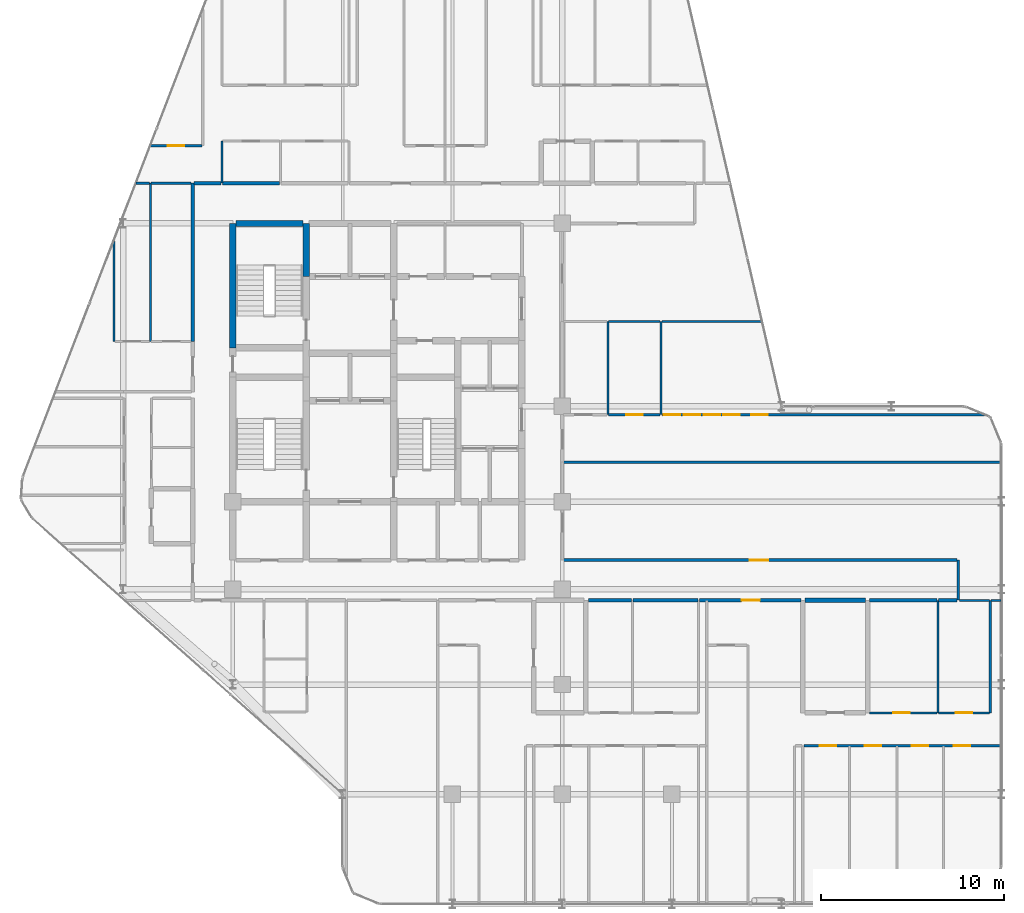
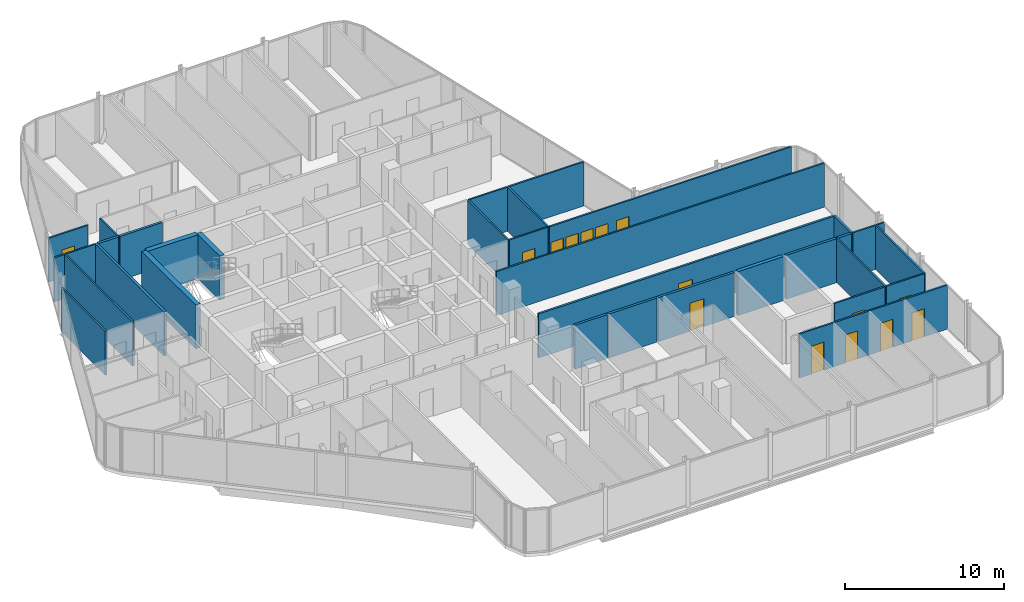
# One storey, part 26 of 29: 34 walls, 15 doors, 15 openings.
"""IFC4 building model written with IfcOpenShell, lengths in metres."""

from ifc_helpers import new_model, si_unit, direction, frame, frame_2d, origin, place, context, subcontext, project, spatial, rectangle, extrude, material, layer, layer_set, type_object, element, fill, save


model = new_model("IFC4")

# Units and contexts
model_context = context("Model", 3, precision=1e-05, world=origin(), true_north=direction((0.0, 1.0)))
body_context = subcontext(model_context, "Body", "Model", "MODEL_VIEW")
ifc_project = project(units=[si_unit("LENGTHUNIT", "METRE"), si_unit("AREAUNIT", "SQUARE_METRE"), si_unit("VOLUMEUNIT", "CUBIC_METRE"), si_unit("PLANEANGLEUNIT", "RADIAN"), si_unit("MASSUNIT", "GRAM", prefix="KILO")], contexts=[model_context])

# Site, building, storey
site_placement = place(None, origin())
site = spatial("IfcSite", under=ifc_project, at=site_placement, CompositionType="ELEMENT")
building_placement = place(site_placement, origin())
building = spatial("IfcBuilding", under=site, at=building_placement, Name="Keshet Zoharim Tower", CompositionType="ELEMENT")
storey_placement = place(building_placement, frame((0.0, 0.0, 192.10009765625)))
storey = spatial("IfcBuildingStorey", under=building, at=storey_placement, Name="L47", CompositionType="ELEMENT", Elevation=192.10009765625)

# Wall
ifc_material_1 = material(Name="Gypsum Plasterboard", Category="gypsum")
ifc_layer_1 = layer(ifc_material_1, 0.14990234375)
ifc_layer_set_1 = layer_set([ifc_layer_1], Name="Gypsum Plasterboard")
wall_type_1 = type_object("IfcWallType", Name="WL-CLIN-150", PredefinedType="STANDARD", material=ifc_layer_set_1)
wall_1_placement = place(storey_placement, frame((54.64990234375, 17.31005859375, 0.0), z_axis=(0.0, 0.0, 1.0), x_axis=(0.0, 1.0, 0.0)))
element("IfcWall", 1, at=wall_1_placement, inside=storey, type_object=wall_type_1, Name="L47 Interior Wall 102", PredefinedType="STANDARD", context=body_context, shape_type="SweptSolid", body=[
    extrude(rectangle(XDim=2.18994140625, YDim=0.14990234375, at=frame_2d((1.094970703125, 0.0))), origin(), (0.0, 0.0, 1.0), 3.389892578125),
])

# Wall, opening, door
wall_2_placement = place(storey_placement, frame((33.070068359375, 19.5, 0.0), z_axis=(0.0, 0.0, 1.0), x_axis=(1.0, 0.0, 0.0)))
wall_2 = element("IfcWall", 2, at=wall_2_placement, inside=storey, type_object=wall_type_1, Name="L47 Interior Wall 138", PredefinedType="STANDARD", context=body_context, shape_type="SweptSolid", body=[
    extrude(rectangle(XDim=21.510009765625, YDim=0.14990234375, at=frame_2d((10.7548828125, 0.0))), origin(), (0.0, 0.0, 1.0), 3.389892578125),
])
opening_1_placement = place(wall_2_placement, frame((10.18505859375, 0.0, 0.0)))
opening_1 = element("IfcOpeningElement", 3, at=opening_1_placement, cuts=wall_2, Name="Opening D-F310", PredefinedType="OPENING", context=body_context, shape_type="SweptSolid", body=[
    extrude(rectangle(XDim=1.0, YDim=2.14990234375, at=frame_2d((0.5, 1.074951171875))), frame((0.0, 0.0849609375, 0.0), z_axis=(0.0, -1.0, 0.0), x_axis=(1.0, 0.0, 0.0)), (0.0, 0.0, 1.0), 0.169921875),
])
ifc_material_2 = material(Name="Hardwood Timber", Category="wood")
door_type_1 = type_object("IfcDoorType", Name="DR-FD30-100", OperationType="NOTDEFINED", PredefinedType="DOOR", material=ifc_material_2)
door_1_placement = place(opening_1_placement, origin())
door_1 = element("IfcDoor", 4, at=door_1_placement, inside=storey, type_object=door_type_1, Name="L47 South East Residents Services Suite Door 1", OperationType="SINGLE_SWING_RIGHT", OverallHeight=2.14990234375, OverallWidth=1.0, PredefinedType="DOOR", context=body_context, shape_type="SweptSolid", body=[
    extrude(rectangle(XDim=1.0, YDim=2.14990234375, at=frame_2d((0.5, 1.074951171875))), frame((0.0, 0.02490234375, 0.0), z_axis=(0.0, -1.0, 0.0), x_axis=(1.0, 0.0, 0.0)), (0.0, 0.0, 1.0), 0.050048828125),
])
fill(opening_1, door_1)

# Walls
ifc_material_3 = material(Name="Concrete C60/75", Category="concrete")
ifc_layer_2 = layer(ifc_material_3, 0.35009765625)
ifc_layer_set_2 = layer_set([ifc_layer_2], Name="Concrete C60/75")
wall_type_2 = type_object("IfcWallType", Name="WL-CORE-350", PredefinedType="SHEAR", material=ifc_layer_set_2)
wall_3_placement = place(storey_placement, frame((15.0, 31.10009765625, 0.0), z_axis=(0.0, 0.0, 1.0), x_axis=(0.0, 1.0, 0.0)))
element("IfcWall", 5, at=wall_3_placement, inside=storey, type_object=wall_type_2, Name="L47 Core Shear Wall 019", PredefinedType="SHEAR", context=body_context, shape_type="SweptSolid", body=[
    extrude(rectangle(XDim=6.7998046875, YDim=0.35009765625, at=frame_2d((3.39990234375, 0.0))), origin(), (0.0, 0.0, 1.0), 3.389892578125),
])
wall_4_placement = place(storey_placement, frame((19.0, 35.0, 0.0), z_axis=(0.0, 0.0, 1.0), x_axis=(0.0, 1.0, 0.0)))
element("IfcWall", 6, at=wall_4_placement, inside=storey, type_object=wall_type_2, Name="L47 Core Shear Wall 028", PredefinedType="SHEAR", context=body_context, shape_type="SweptSolid", body=[
    extrude(rectangle(XDim=2.89990234375, YDim=0.35009765625, at=frame_2d((1.449951171875, 0.0))), origin(), (0.0, 0.0, 1.0), 3.389892578125),
])
wall_5_placement = place(storey_placement, frame((15.159912109375, 37.89990234375, 0.0), z_axis=(0.0, 0.0, 1.0), x_axis=(1.0, 0.0, 0.0)))
element("IfcWall", 7, at=wall_5_placement, inside=storey, type_object=wall_type_2, Name="L47 Core Shear Wall 176", PredefinedType="SHEAR", context=body_context, shape_type="SweptSolid", body=[
    extrude(rectangle(XDim=3.68017578125, YDim=0.35009765625, at=frame_2d((1.840087890625, 0.0))), origin(), (0.0, 0.0, 1.0), 3.389892578125),
])
ifc_layer_3 = layer(ifc_material_1, 0.179931640625)
ifc_layer_set_3 = layer_set([ifc_layer_3], Name="Gypsum Plasterboard")
wall_type_3 = type_object("IfcWallType", Name="WL-CORR-180", PredefinedType="STANDARD", material=ifc_layer_set_3)
wall_6_placement = place(storey_placement, frame((12.800048828125, 31.449951171875, 0.0), z_axis=(0.0, 0.0, 1.0), x_axis=(0.0, 1.0, 0.0)))
element("IfcWall", 8, at=wall_6_placement, inside=storey, type_object=wall_type_3, Name="L47 Interior Wall 012", PredefinedType="STANDARD", context=body_context, shape_type="SweptSolid", body=[
    extrude(rectangle(XDim=8.650146484375, YDim=0.179931640625, at=frame_2d((4.3251953125, 0.0))), origin(), (0.0, 0.0, 1.0), 3.389892578125),
])
wall_7_placement = place(storey_placement, frame((34.425048828125, 17.300048828125, 0.0), z_axis=(0.0, 0.0, 1.0), x_axis=(1.0, 0.0, 0.0)))
element("IfcWall", 9, at=wall_7_placement, inside=storey, type_object=wall_type_3, Name="L47 Interior Wall 126", PredefinedType="STANDARD", context=body_context, shape_type="SweptSolid", body=[
    extrude(rectangle(XDim=2.367919921875, YDim=0.179931640625, at=frame_2d((1.18408203125, 0.0))), origin(), (0.0, 0.0, 1.0), 3.389892578125),
])
wall_8_placement = place(storey_placement, frame((36.883056640625, 17.300048828125, 0.0), z_axis=(0.0, 0.0, 1.0), x_axis=(1.0, 0.0, 0.0)))
element("IfcWall", 10, at=wall_8_placement, inside=storey, type_object=wall_type_3, Name="L47 Interior Wall 127", PredefinedType="STANDARD", context=body_context, shape_type="SweptSolid", body=[
    extrude(rectangle(XDim=3.531982421875, YDim=0.179931640625, at=frame_2d((1.76611328125, 0.0))), origin(), (0.0, 0.0, 1.0), 3.389892578125),
])

# Wall, opening, door
wall_9_placement = place(storey_placement, frame((40.5048828125, 17.300048828125, 0.0), z_axis=(0.0, 0.0, 1.0), x_axis=(1.0, 0.0, 0.0)))
wall_9 = element("IfcWall", 11, at=wall_9_placement, inside=storey, type_object=wall_type_3, Name="L47 Interior Wall 128", PredefinedType="STANDARD", context=body_context, shape_type="SweptSolid", body=[
    extrude(rectangle(XDim=5.545166015625, YDim=0.179931640625, at=frame_2d((2.7724609375, 0.0))), origin(), (0.0, 0.0, 1.0), 3.389892578125),
])
opening_2_placement = place(wall_9_placement, frame((2.304931640625, 0.0, 0.0)))
opening_2 = element("IfcOpeningElement", 12, at=opening_2_placement, cuts=wall_9, Name="Opening D-F310", PredefinedType="OPENING", context=body_context, shape_type="SweptSolid", body=[
    extrude(rectangle(XDim=1.0, YDim=2.14990234375, at=frame_2d((0.5, 1.074951171875))), frame((0.0, 0.10009765625, 0.0), z_axis=(0.0, -1.0, 0.0), x_axis=(1.0, 0.0, 0.0)), (0.0, 0.0, 1.0), 0.199951171875),
])
door_2_placement = place(opening_2_placement, origin())
door_2 = element("IfcDoor", 13, at=door_2_placement, inside=storey, type_object=door_type_1, Name="Apartment 4703 Entrance Door", OperationType="SINGLE_SWING_RIGHT", OverallHeight=2.14990234375, OverallWidth=1.0, PredefinedType="DOOR", context=body_context, shape_type="SweptSolid", body=[
    extrude(rectangle(XDim=1.0, YDim=2.14990234375, at=frame_2d((0.5, 1.074951171875))), frame((0.0, 0.02490234375, 0.0), z_axis=(0.0, -1.0, 0.0), x_axis=(1.0, 0.0, 0.0)), (0.0, 0.0, 1.0), 0.050048828125),
])
fill(opening_2, door_2)

# Walls
wall_10_placement = place(storey_placement, frame((49.81005859375, 17.300048828125, 0.0), z_axis=(0.0, 0.0, 1.0), x_axis=(1.0, 0.0, 0.0)))
element("IfcWall", 14, at=wall_10_placement, inside=storey, type_object=wall_type_3, Name="L47 Interior Wall 130", PredefinedType="STANDARD", context=body_context, shape_type="SweptSolid", body=[
    extrude(rectangle(XDim=3.6708984375, YDim=0.179931640625, at=frame_2d((1.83544921875, 0.0))), origin(), (0.0, 0.0, 1.0), 3.389892578125),
])
wall_11_placement = place(storey_placement, frame((53.571044921875, 17.300048828125, 0.0), z_axis=(0.0, 0.0, 1.0), x_axis=(1.0, 0.0, 0.0)))
element("IfcWall", 15, at=wall_11_placement, inside=storey, type_object=wall_type_3, Name="L47 Interior Wall 131", PredefinedType="STANDARD", context=body_context, shape_type="SweptSolid", body=[
    extrude(rectangle(XDim=1.009033203125, YDim=0.179931640625, at=frame_2d((0.50439453125, 0.0))), origin(), (0.0, 0.0, 1.0), 3.389892578125),
])
wall_12_placement = place(storey_placement, frame((12.875, 40.10009765625, 0.0), z_axis=(0.0, 0.0, 1.0), x_axis=(1.0, 0.0, 0.0)))
element("IfcWall", 16, at=wall_12_placement, inside=storey, type_object=wall_type_3, Name="L47 Interior Wall 183", PredefinedType="STANDARD", context=body_context, shape_type="SweptSolid", body=[
    extrude(rectangle(XDim=1.47998046875, YDim=0.179931640625, at=frame_2d((0.739990234375, 0.0))), origin(), (0.0, 0.0, 1.0), 3.389892578125),
])
wall_13_placement = place(storey_placement, frame((14.445068359375, 40.10009765625, 0.0), z_axis=(0.0, 0.0, 1.0), x_axis=(1.0, 0.0, 0.0)))
element("IfcWall", 17, at=wall_13_placement, inside=storey, type_object=wall_type_3, Name="L47 Interior Wall 184", PredefinedType="STANDARD", context=body_context, shape_type="SweptSolid", body=[
    extrude(rectangle(XDim=3.10205078125, YDim=0.179931640625, at=frame_2d((1.551025390625, 0.0))), origin(), (0.0, 0.0, 1.0), 3.389892578125),
])
ifc_material_4 = material(Name="Concrete C50/60", Category="concrete")
ifc_layer_4 = layer(ifc_material_4, 0.25)
ifc_layer_set_4 = layer_set([ifc_layer_4], Name="Concrete C50/60")
wall_type_4 = type_object("IfcWallType", Name="WL-MAMAD-250", PredefinedType="STANDARD", material=ifc_layer_set_4)
wall_14_placement = place(storey_placement, frame((46.27001953125, 17.300048828125, 0.0), z_axis=(0.0, 0.0, 1.0), x_axis=(1.0, 0.0, 0.0)))
element("IfcWall", 18, at=wall_14_placement, inside=storey, type_object=wall_type_4, Name="L47 Interior Wall 129", PredefinedType="STANDARD", context=body_context, shape_type="SweptSolid", body=[
    extrude(rectangle(XDim=3.320068359375, YDim=0.25, at=frame_2d((1.66015625, 0.0))), origin(), (0.0, 0.0, 1.0), 3.389892578125),
])
ifc_layer_5 = layer(ifc_material_1, 0.1201171875)
ifc_layer_set_5 = layer_set([ifc_layer_5], Name="Gypsum Plasterboard")
wall_type_5 = type_object("IfcWallType", Name="WL-PART-120", PredefinedType="PARTITIONING", material=ifc_layer_set_5)
wall_15_placement = place(storey_placement, frame((8.5, 31.449951171875, 0.0), z_axis=(0.0, 0.0, 1.0), x_axis=(0.0, 1.0, 0.0)))
element("IfcWall", 19, at=wall_15_placement, inside=storey, type_object=wall_type_5, Name="L47 Interior Wall 001", PredefinedType="PARTITIONING", context=body_context, shape_type="SweptSolid", body=[
    extrude(rectangle(XDim=5.5400390625, YDim=0.1201171875, at=frame_2d((2.77001953125, 0.0))), origin(), (0.0, 0.0, 1.0), 3.389892578125),
])
wall_16_placement = place(storey_placement, frame((14.39990234375, 40.10009765625, 0.0), z_axis=(0.0, 0.0, 1.0), x_axis=(0.0, 1.0, 0.0)))
element("IfcWall", 20, at=wall_16_placement, inside=storey, type_object=wall_type_5, Name="L47 Interior Wall 014", PredefinedType="PARTITIONING", context=body_context, shape_type="SweptSolid", body=[
    extrude(rectangle(XDim=2.2998046875, YDim=0.1201171875, at=frame_2d((1.14990234375, 0.0))), origin(), (0.0, 0.0, 1.0), 3.389892578125),
])

# Wall, openings, doors
wall_17_placement = place(storey_placement, frame((46.205078125, 9.35009765625, 0.0), z_axis=(0.0, 0.0, 1.0), x_axis=(1.0, 0.0, 0.0)))
wall_17 = element("IfcWall", 21, at=wall_17_placement, inside=storey, type_object=wall_type_5, Name="L47 Interior Wall 108", PredefinedType="PARTITIONING", context=body_context, shape_type="SweptSolid", body=[
    extrude(rectangle(XDim=10.784912109375, YDim=0.1201171875, at=frame_2d((5.392578125, 0.0))), origin(), (0.0, 0.0, 1.0), 3.389892578125),
])
opening_3_placement = place(wall_17_placement, frame((0.882080078125, 0.0, 0.0)))
opening_3 = element("IfcOpeningElement", 22, at=opening_3_placement, cuts=wall_17, Name="Opening D-IN90", PredefinedType="OPENING", context=body_context, shape_type="SweptSolid", body=[
    extrude(rectangle(XDim=0.89990234375, YDim=2.14990234375, at=frame_2d((0.449951171875, 1.074951171875))), frame((0.0, 0.070068359375, 0.0), z_axis=(0.0, -1.0, 0.0), x_axis=(1.0, 0.0, 0.0)), (0.0, 0.0, 1.0), 0.14013671875),
])
opening_4_placement = place(wall_17_placement, frame((3.342041015625, 0.0, 0.0)))
opening_4 = element("IfcOpeningElement", 23, at=opening_4_placement, cuts=wall_17, Name="Opening D-IN90", PredefinedType="OPENING", context=body_context, shape_type="SweptSolid", body=[
    extrude(rectangle(XDim=0.89990234375, YDim=2.14990234375, at=frame_2d((0.449951171875, 1.074951171875))), frame((0.0, 0.070068359375, 0.0), z_axis=(0.0, -1.0, 0.0), x_axis=(1.0, 0.0, 0.0)), (0.0, 0.0, 1.0), 0.14013671875),
])
opening_5_placement = place(wall_17_placement, frame((5.89794921875, 0.0, 0.0)))
opening_5 = element("IfcOpeningElement", 24, at=opening_5_placement, cuts=wall_17, Name="Opening D-IN90", PredefinedType="OPENING", context=body_context, shape_type="SweptSolid", body=[
    extrude(rectangle(XDim=0.89990234375, YDim=2.14990234375, at=frame_2d((0.449951171875, 1.074951171875))), frame((0.0, 0.070068359375, 0.0), z_axis=(0.0, -1.0, 0.0), x_axis=(1.0, 0.0, 0.0)), (0.0, 0.0, 1.0), 0.14013671875),
])
opening_6_placement = place(wall_17_placement, frame((8.2041015625, 0.0, 0.0)))
opening_6 = element("IfcOpeningElement", 25, at=opening_6_placement, cuts=wall_17, Name="Opening D-IN90", PredefinedType="OPENING", context=body_context, shape_type="SweptSolid", body=[
    extrude(rectangle(XDim=0.89990234375, YDim=2.14990234375, at=frame_2d((0.449951171875, 1.074951171875))), frame((0.0, 0.070068359375, 0.0), z_axis=(0.0, -1.0, 0.0), x_axis=(1.0, 0.0, 0.0)), (0.0, 0.0, 1.0), 0.14013671875),
])
door_type_2 = type_object("IfcDoorType", Name="DR-INT-090", OperationType="NOTDEFINED", PredefinedType="DOOR", material=ifc_material_2)
door_3_placement = place(opening_3_placement, origin())
door_3 = element("IfcDoor", 26, at=door_3_placement, inside=storey, type_object=door_type_2, Name="Apartment 4703 Bedroom 1 Door", OperationType="SINGLE_SWING_RIGHT", OverallHeight=2.14990234375, OverallWidth=0.89990234375, PredefinedType="DOOR", context=body_context, shape_type="SweptSolid", body=[
    extrude(rectangle(XDim=0.89990234375, YDim=2.14990234375, at=frame_2d((0.449951171875, 1.074951171875))), frame((0.0, 0.02490234375, 0.0), z_axis=(0.0, -1.0, 0.0), x_axis=(1.0, 0.0, 0.0)), (0.0, 0.0, 1.0), 0.050048828125),
])
fill(opening_3, door_3)
door_4_placement = place(opening_4_placement, origin())
door_4 = element("IfcDoor", 27, at=door_4_placement, inside=storey, type_object=door_type_2, Name="Apartment 4703 Bedroom 2 Door", OperationType="SINGLE_SWING_LEFT", OverallHeight=2.14990234375, OverallWidth=0.89990234375, PredefinedType="DOOR", context=body_context, shape_type="SweptSolid", body=[
    extrude(rectangle(XDim=0.89990234375, YDim=2.14990234375, at=frame_2d((0.449951171875, 1.074951171875))), frame((0.0, 0.02490234375, 0.0), z_axis=(0.0, -1.0, 0.0), x_axis=(1.0, 0.0, 0.0)), (0.0, 0.0, 1.0), 0.050048828125),
])
fill(opening_4, door_4)
door_5_placement = place(opening_5_placement, origin())
door_5 = element("IfcDoor", 28, at=door_5_placement, inside=storey, type_object=door_type_2, Name="Apartment 4703 Bedroom 3 Door", OperationType="SINGLE_SWING_RIGHT", OverallHeight=2.14990234375, OverallWidth=0.89990234375, PredefinedType="DOOR", context=body_context, shape_type="SweptSolid", body=[
    extrude(rectangle(XDim=0.89990234375, YDim=2.14990234375, at=frame_2d((0.449951171875, 1.074951171875))), frame((0.0, 0.02490234375, 0.0), z_axis=(0.0, -1.0, 0.0), x_axis=(1.0, 0.0, 0.0)), (0.0, 0.0, 1.0), 0.050048828125),
])
fill(opening_5, door_5)
door_6_placement = place(opening_6_placement, origin())
door_6 = element("IfcDoor", 29, at=door_6_placement, inside=storey, type_object=door_type_2, Name="Apartment 4703 Bedroom 4 Door", OperationType="SINGLE_SWING_LEFT", OverallHeight=2.14990234375, OverallWidth=0.89990234375, PredefinedType="DOOR", context=body_context, shape_type="SweptSolid", body=[
    extrude(rectangle(XDim=0.89990234375, YDim=2.14990234375, at=frame_2d((0.449951171875, 1.074951171875))), frame((0.0, 0.02490234375, 0.0), z_axis=(0.0, -1.0, 0.0), x_axis=(1.0, 0.0, 0.0)), (0.0, 0.0, 1.0), 0.050048828125),
])
fill(opening_6, door_6)

# Wall, opening, door
wall_18_placement = place(storey_placement, frame((49.81005859375, 11.14990234375, 0.0), z_axis=(0.0, 0.0, 1.0), x_axis=(1.0, 0.0, 0.0)))
wall_18 = element("IfcWall", 30, at=wall_18_placement, inside=storey, type_object=wall_type_5, Name="L47 Interior Wall 113", PredefinedType="PARTITIONING", context=body_context, shape_type="SweptSolid", body=[
    extrude(rectangle(XDim=3.6708984375, YDim=0.1201171875, at=frame_2d((1.83544921875, 0.0))), origin(), (0.0, 0.0, 1.0), 3.389892578125),
])
opening_7_placement = place(wall_18_placement, frame((1.281982421875, 0.0, 0.0)))
opening_7 = element("IfcOpeningElement", 31, at=opening_7_placement, cuts=wall_18, Name="Opening D-IN90", PredefinedType="OPENING", context=body_context, shape_type="SweptSolid", body=[
    extrude(rectangle(XDim=0.89990234375, YDim=2.14990234375, at=frame_2d((0.449951171875, 1.074951171875))), frame((0.0, 0.070068359375, 0.0), z_axis=(0.0, -1.0, 0.0), x_axis=(1.0, 0.0, 0.0)), (0.0, 0.0, 1.0), 0.14013671875),
])
door_7_placement = place(opening_7_placement, origin())
door_7 = element("IfcDoor", 32, at=door_7_placement, inside=storey, type_object=door_type_2, Name="Apartment 4703 Kitchen Door", OperationType="SINGLE_SWING_LEFT", OverallHeight=2.14990234375, OverallWidth=0.89990234375, PredefinedType="DOOR", context=body_context, shape_type="SweptSolid", body=[
    extrude(rectangle(XDim=0.89990234375, YDim=2.14990234375, at=frame_2d((0.449951171875, 1.074951171875))), frame((0.0, 0.02490234375, 0.0), z_axis=(0.0, -1.0, 0.0), x_axis=(1.0, 0.0, 0.0)), (0.0, 0.0, 1.0), 0.050048828125),
])
fill(opening_7, door_7)

# Walls
wall_19_placement = place(storey_placement, frame((56.43505859375, 17.300048828125, 0.0), z_axis=(0.0, 0.0, 1.0), x_axis=(1.0, 0.0, 0.0)))
element("IfcWall", 33, at=wall_19_placement, inside=storey, type_object=wall_type_5, Name="L47 Interior Wall 133", PredefinedType="PARTITIONING", context=body_context, shape_type="SweptSolid", body=[
    extrude(rectangle(XDim=0.554931640625, YDim=0.1201171875, at=frame_2d((0.27734375, 0.0))), origin(), (0.0, 0.0, 1.0), 3.389892578125),
])
wall_20_placement = place(storey_placement, frame((33.0849609375, 24.85009765625, 0.0), z_axis=(0.0, 0.0, 1.0), x_axis=(1.0, 0.0, 0.0)))
element("IfcWall", 34, at=wall_20_placement, inside=storey, type_object=wall_type_5, Name="L47 Interior Wall 149", PredefinedType="PARTITIONING", context=body_context, shape_type="SweptSolid", body=[
    extrude(rectangle(XDim=23.905029296875, YDim=0.1201171875, at=frame_2d((11.95263671875, 0.0))), origin(), (0.0, 0.0, 1.0), 3.389892578125),
])

# Wall, openings, doors
wall_21_placement = place(storey_placement, frame((38.445068359375, 27.449951171875, 0.0), z_axis=(0.0, 0.0, 1.0), x_axis=(1.0, 0.0, 0.0)))
wall_21 = element("IfcWall", 35, at=wall_21_placement, inside=storey, type_object=wall_type_5, Name="L47 Interior Wall 155", PredefinedType="PARTITIONING", context=body_context, shape_type="SweptSolid", body=[
    extrude(rectangle(XDim=17.630859375, YDim=0.1201171875, at=frame_2d((8.8154296875, 0.0))), origin(), (0.0, 0.0, 1.0), 3.389892578125),
])
opening_8_placement = place(wall_21_placement, frame((4.8798828125, 0.0, 0.0)))
opening_8 = element("IfcOpeningElement", 36, at=opening_8_placement, cuts=wall_21, Name="Opening D-IN90", PredefinedType="OPENING", context=body_context, shape_type="SweptSolid", body=[
    extrude(rectangle(XDim=0.89990234375, YDim=2.14990234375, at=frame_2d((0.449951171875, 1.074951171875))), frame((0.0, 0.070068359375, 0.0), z_axis=(0.0, -1.0, 0.0), x_axis=(1.0, 0.0, 0.0)), (0.0, 0.0, 1.0), 0.14013671875),
])
opening_9_placement = place(wall_21_placement, frame((0.1201171875, 0.0, 0.0)))
opening_9 = element("IfcOpeningElement", 37, at=opening_9_placement, cuts=wall_21, Name="Opening D-IN90", PredefinedType="OPENING", context=body_context, shape_type="SweptSolid", body=[
    extrude(rectangle(XDim=0.89990234375, YDim=2.14990234375, at=frame_2d((0.449951171875, 1.074951171875))), frame((0.0, 0.070068359375, 0.0), z_axis=(0.0, -1.0, 0.0), x_axis=(1.0, 0.0, 0.0)), (0.0, 0.0, 1.0), 0.14013671875),
])
opening_10_placement = place(wall_21_placement, frame((1.202880859375, 0.0, 0.0)))
opening_10 = element("IfcOpeningElement", 38, at=opening_10_placement, cuts=wall_21, Name="Opening D-IN90", PredefinedType="OPENING", context=body_context, shape_type="SweptSolid", body=[
    extrude(rectangle(XDim=0.89990234375, YDim=2.14990234375, at=frame_2d((0.449951171875, 1.074951171875))), frame((0.0, 0.070068359375, 0.0), z_axis=(0.0, -1.0, 0.0), x_axis=(1.0, 0.0, 0.0)), (0.0, 0.0, 1.0), 0.14013671875),
])
opening_11_placement = place(wall_21_placement, frame((2.287109375, 0.0, 0.0)))
opening_11 = element("IfcOpeningElement", 39, at=opening_11_placement, cuts=wall_21, Name="Opening D-IN90", PredefinedType="OPENING", context=body_context, shape_type="SweptSolid", body=[
    extrude(rectangle(XDim=0.89990234375, YDim=2.14990234375, at=frame_2d((0.449951171875, 1.074951171875))), frame((0.0, 0.070068359375, 0.0), z_axis=(0.0, -1.0, 0.0), x_axis=(1.0, 0.0, 0.0)), (0.0, 0.0, 1.0), 0.14013671875),
])
opening_12_placement = place(wall_21_placement, frame((3.3701171875, 0.0, 0.0)))
opening_12 = element("IfcOpeningElement", 40, at=opening_12_placement, cuts=wall_21, Name="Opening D-IN90", PredefinedType="OPENING", context=body_context, shape_type="SweptSolid", body=[
    extrude(rectangle(XDim=0.89990234375, YDim=2.14990234375, at=frame_2d((0.449951171875, 1.074951171875))), frame((0.0, 0.070068359375, 0.0), z_axis=(0.0, -1.0, 0.0), x_axis=(1.0, 0.0, 0.0)), (0.0, 0.0, 1.0), 0.14013671875),
])
door_8_placement = place(opening_8_placement, origin())
door_8 = element("IfcDoor", 41, at=door_8_placement, inside=storey, type_object=door_type_2, Name="Apartment 4708 Bedroom 1 Access Door", OperationType="SINGLE_SWING_RIGHT", OverallHeight=2.14990234375, OverallWidth=0.89990234375, PredefinedType="DOOR", context=body_context, shape_type="SweptSolid", body=[
    extrude(rectangle(XDim=0.89990234375, YDim=2.14990234375, at=frame_2d((0.449951171875, 1.074951171875))), frame((0.0, 0.02490234375, 0.0), z_axis=(0.0, -1.0, 0.0), x_axis=(1.0, 0.0, 0.0)), (0.0, 0.0, 1.0), 0.050048828125),
])
fill(opening_8, door_8)
door_9_placement = place(opening_9_placement, origin())
door_9 = element("IfcDoor", 42, at=door_9_placement, inside=storey, type_object=door_type_2, Name="Apartment 4708 Bedroom 1 Access Door", OperationType="SINGLE_SWING_LEFT", OverallHeight=2.14990234375, OverallWidth=0.89990234375, PredefinedType="DOOR", context=body_context, shape_type="SweptSolid", body=[
    extrude(rectangle(XDim=0.89990234375, YDim=2.14990234375, at=frame_2d((0.449951171875, 1.074951171875))), frame((0.0, 0.02490234375, 0.0), z_axis=(0.0, -1.0, 0.0), x_axis=(1.0, 0.0, 0.0)), (0.0, 0.0, 1.0), 0.050048828125),
])
fill(opening_9, door_9)
door_10_placement = place(opening_10_placement, origin())
door_10 = element("IfcDoor", 43, at=door_10_placement, inside=storey, type_object=door_type_2, Name="Apartment 4708 Bedroom 1 Access Door", OperationType="SINGLE_SWING_RIGHT", OverallHeight=2.14990234375, OverallWidth=0.89990234375, PredefinedType="DOOR", context=body_context, shape_type="SweptSolid", body=[
    extrude(rectangle(XDim=0.89990234375, YDim=2.14990234375, at=frame_2d((0.449951171875, 1.074951171875))), frame((0.0, 0.02490234375, 0.0), z_axis=(0.0, -1.0, 0.0), x_axis=(1.0, 0.0, 0.0)), (0.0, 0.0, 1.0), 0.050048828125),
])
fill(opening_10, door_10)
door_11_placement = place(opening_11_placement, origin())
door_11 = element("IfcDoor", 44, at=door_11_placement, inside=storey, type_object=door_type_2, Name="Apartment 4708 Bedroom 1 Access Door", OperationType="SINGLE_SWING_LEFT", OverallHeight=2.14990234375, OverallWidth=0.89990234375, PredefinedType="DOOR", context=body_context, shape_type="SweptSolid", body=[
    extrude(rectangle(XDim=0.89990234375, YDim=2.14990234375, at=frame_2d((0.449951171875, 1.074951171875))), frame((0.0, 0.02490234375, 0.0), z_axis=(0.0, -1.0, 0.0), x_axis=(1.0, 0.0, 0.0)), (0.0, 0.0, 1.0), 0.050048828125),
])
fill(opening_11, door_11)
door_12_placement = place(opening_12_placement, origin())
door_12 = element("IfcDoor", 45, at=door_12_placement, inside=storey, type_object=door_type_2, Name="Apartment 4708 Bedroom 1 Door", OperationType="SINGLE_SWING_RIGHT", OverallHeight=2.14990234375, OverallWidth=0.89990234375, PredefinedType="DOOR", context=body_context, shape_type="SweptSolid", body=[
    extrude(rectangle(XDim=0.89990234375, YDim=2.14990234375, at=frame_2d((0.449951171875, 1.074951171875))), frame((0.0, 0.02490234375, 0.0), z_axis=(0.0, -1.0, 0.0), x_axis=(1.0, 0.0, 0.0)), (0.0, 0.0, 1.0), 0.050048828125),
])
fill(opening_12, door_12)

# Walls
wall_22_placement = place(storey_placement, frame((38.445068359375, 32.550048828125, 0.0), z_axis=(0.0, 0.0, 1.0), x_axis=(1.0, 0.0, 0.0)))
element("IfcWall", 46, at=wall_22_placement, inside=storey, type_object=wall_type_5, Name="L47 Interior Wall 172", PredefinedType="PARTITIONING", context=body_context, shape_type="SweptSolid", body=[
    extrude(rectangle(XDim=5.471923828125, YDim=0.1201171875, at=frame_2d((2.73583984375, 0.0))), origin(), (0.0, 0.0, 1.0), 3.389892578125),
])
wall_23_placement = place(storey_placement, frame((9.701904296875, 40.10009765625, 0.0), z_axis=(0.0, 0.0, 1.0), x_axis=(1.0, 0.0, 0.0)))
element("IfcWall", 47, at=wall_23_placement, inside=storey, type_object=wall_type_5, Name="L47 Interior Wall 181", PredefinedType="PARTITIONING", context=body_context, shape_type="SweptSolid", body=[
    extrude(rectangle(XDim=0.731201171875, YDim=0.1201171875, at=frame_2d((0.36572265625, 0.0))), origin(), (0.0, 0.0, 1.0), 3.389892578125),
])

# Wall, opening, door
wall_24_placement = place(storey_placement, frame((10.490966796875, 42.14990234375, 0.0), z_axis=(0.0, 0.0, 1.0), x_axis=(1.0, 0.0, 0.0)))
wall_24 = element("IfcWall", 48, at=wall_24_placement, inside=storey, type_object=wall_type_5, Name="L47 Interior Wall 193", PredefinedType="PARTITIONING", context=body_context, shape_type="SweptSolid", body=[
    extrude(rectangle(XDim=2.828125, YDim=0.1201171875, at=frame_2d((1.4140625, 0.0))), origin(), (0.0, 0.0, 1.0), 3.389892578125),
])
opening_13_placement = place(wall_24_placement, frame((0.962890625, 0.0, 0.0)))
opening_13 = element("IfcOpeningElement", 49, at=opening_13_placement, cuts=wall_24, Name="Opening D-IN90", PredefinedType="OPENING", context=body_context, shape_type="SweptSolid", body=[
    extrude(rectangle(XDim=0.89990234375, YDim=2.14990234375, at=frame_2d((0.449951171875, 1.074951171875))), frame((0.0, 0.070068359375, 0.0), z_axis=(0.0, -1.0, 0.0), x_axis=(1.0, 0.0, 0.0)), (0.0, 0.0, 1.0), 0.14013671875),
])
door_13_placement = place(opening_13_placement, origin())
door_13 = element("IfcDoor", 50, at=door_13_placement, inside=storey, type_object=door_type_2, Name="Apartment 4704 Home Study Room Door", OperationType="SINGLE_SWING_LEFT", OverallHeight=2.14990234375, OverallWidth=0.89990234375, PredefinedType="DOOR", context=body_context, shape_type="SweptSolid", body=[
    extrude(rectangle(XDim=0.89990234375, YDim=2.14990234375, at=frame_2d((0.449951171875, 1.074951171875))), frame((0.0, 0.02490234375, 0.0), z_axis=(0.0, -1.0, 0.0), x_axis=(1.0, 0.0, 0.0)), (0.0, 0.0, 1.0), 0.050048828125),
])
fill(opening_13, door_13)

# Walls
ifc_layer_6 = layer(ifc_material_1, 0.1201171875)
ifc_layer_set_6 = layer_set([ifc_layer_6], Name="Gypsum Plasterboard")
wall_type_6 = type_object("IfcWallType", Name="WL-WET-120", PredefinedType="PARTITIONING", material=ifc_layer_set_6)
wall_25_placement = place(storey_placement, frame((10.5, 31.449951171875, 0.0), z_axis=(0.0, 0.0, 1.0), x_axis=(0.0, 1.0, 0.0)))
element("IfcWall", 51, at=wall_25_placement, inside=storey, type_object=wall_type_6, Name="L47 Interior Wall 003", PredefinedType="PARTITIONING", context=body_context, shape_type="SweptSolid", body=[
    extrude(rectangle(XDim=8.650146484375, YDim=0.1201171875, at=frame_2d((4.3251953125, 0.0))), origin(), (0.0, 0.0, 1.0), 3.389892578125),
])
for number, where, z_axis, x_axis, name in (
    (52, (35.5, 27.469970703125, 0.0), (0.0, 0.0, 1.0), (0.0, 1.0, 0.0), "L47 Interior Wall 080"),
    (53, (38.39990234375, 27.469970703125, 0.0), (0.0, 0.0, 1.0), (0.0, 1.0, 0.0), "L47 Interior Wall 085"),
):
    element("IfcWall", number, at=place(storey_placement, frame(where, z_axis=z_axis, x_axis=x_axis)), inside=storey, type_object=wall_type_6, Name=name, PredefinedType="PARTITIONING", context=body_context, shape_type="SweptSolid", body=[
        extrude(rectangle(XDim=5.070068359375, YDim=0.1201171875, at=frame_2d((2.53515625, 0.0))), origin(), (0.0, 0.0, 1.0), 3.389892578125),
    ])
for number, where, z_axis, x_axis, name in (
    (54, (53.550048828125, 11.14990234375, 0.0), (0.0, 0.0, 1.0), (0.0, 1.0, 0.0), "L47 Interior Wall 100"),
    (55, (56.39990234375, 11.14990234375, 0.0), (0.0, 0.0, 1.0), (0.0, 1.0, 0.0), "L47 Interior Wall 103"),
):
    element("IfcWall", number, at=place(storey_placement, frame(where, z_axis=z_axis, x_axis=x_axis)), inside=storey, type_object=wall_type_6, Name=name, PredefinedType="PARTITIONING", context=body_context, shape_type="SweptSolid", body=[
        extrude(rectangle(XDim=6.150146484375, YDim=0.1201171875, at=frame_2d((3.0751953125, 0.0))), origin(), (0.0, 0.0, 1.0), 3.389892578125),
    ])

# Wall, opening, door
wall_26_placement = place(storey_placement, frame((53.571044921875, 11.14990234375, 0.0), z_axis=(0.0, 0.0, 1.0), x_axis=(1.0, 0.0, 0.0)))
wall_26 = element("IfcWall", 56, at=wall_26_placement, inside=storey, type_object=wall_type_6, Name="L47 Interior Wall 114", PredefinedType="PARTITIONING", context=body_context, shape_type="SweptSolid", body=[
    extrude(rectangle(XDim=2.77392578125, YDim=0.1201171875, at=frame_2d((1.386962890625, 0.0))), origin(), (0.0, 0.0, 1.0), 3.389892578125),
])
opening_14_placement = place(wall_26_placement, frame((0.93701171875, 0.0, 0.0)))
opening_14 = element("IfcOpeningElement", 57, at=opening_14_placement, cuts=wall_26, Name="Opening D-WT90", PredefinedType="OPENING", context=body_context, shape_type="SweptSolid", body=[
    extrude(rectangle(XDim=0.89990234375, YDim=2.10009765625, at=frame_2d((0.449951171875, 1.050048828125))), frame((0.0, 0.070068359375, 0.0), z_axis=(0.0, -1.0, 0.0), x_axis=(1.0, 0.0, 0.0)), (0.0, 0.0, 1.0), 0.14013671875),
])
door_type_3 = type_object("IfcDoorType", Name="DR-WET-090", OperationType="NOTDEFINED", PredefinedType="DOOR", material=ifc_material_2)
door_14_placement = place(opening_14_placement, origin())
door_14 = element("IfcDoor", 58, at=door_14_placement, inside=storey, type_object=door_type_3, Name="Apartment 4703 Bathroom Door", OperationType="SINGLE_SWING_RIGHT", OverallHeight=2.10009765625, OverallWidth=0.89990234375, PredefinedType="DOOR", context=body_context, shape_type="SweptSolid", body=[
    extrude(rectangle(XDim=0.89990234375, YDim=2.10009765625, at=frame_2d((0.449951171875, 1.050048828125))), frame((0.0, 0.02490234375, 0.0), z_axis=(0.0, -1.0, 0.0), x_axis=(1.0, 0.0, 0.0)), (0.0, 0.0, 1.0), 0.050048828125),
])
fill(opening_14, door_14)

# Wall
wall_27_placement = place(storey_placement, frame((54.7099609375, 17.300048828125, 0.0), z_axis=(0.0, 0.0, 1.0), x_axis=(1.0, 0.0, 0.0)))
element("IfcWall", 59, at=wall_27_placement, inside=storey, type_object=wall_type_6, Name="L47 Interior Wall 132", PredefinedType="PARTITIONING", context=body_context, shape_type="SweptSolid", body=[
    extrude(rectangle(XDim=1.635009765625, YDim=0.1201171875, at=frame_2d((0.8173828125, 0.0))), origin(), (0.0, 0.0, 1.0), 3.389892578125),
])

# Wall, opening, door
wall_28_placement = place(storey_placement, frame((35.529052734375, 27.449951171875, 0.0), z_axis=(0.0, 0.0, 1.0), x_axis=(1.0, 0.0, 0.0)))
wall_28 = element("IfcWall", 60, at=wall_28_placement, inside=storey, type_object=wall_type_6, Name="L47 Interior Wall 154", PredefinedType="PARTITIONING", context=body_context, shape_type="SweptSolid", body=[
    extrude(rectangle(XDim=2.825927734375, YDim=0.1201171875, at=frame_2d((1.4130859375, 0.0))), origin(), (0.0, 0.0, 1.0), 3.389892578125),
])
opening_15_placement = place(wall_28_placement, frame((0.962890625, 0.0, 0.0)))
opening_15 = element("IfcOpeningElement", 61, at=opening_15_placement, cuts=wall_28, Name="Opening D-WT90", PredefinedType="OPENING", context=body_context, shape_type="SweptSolid", body=[
    extrude(rectangle(XDim=0.89990234375, YDim=2.10009765625, at=frame_2d((0.449951171875, 1.050048828125))), frame((0.0, 0.070068359375, 0.0), z_axis=(0.0, -1.0, 0.0), x_axis=(1.0, 0.0, 0.0)), (0.0, 0.0, 1.0), 0.14013671875),
])
door_15_placement = place(opening_15_placement, origin())
door_15 = element("IfcDoor", 62, at=door_15_placement, inside=storey, type_object=door_type_3, Name="Apartment 4708 Bathroom Door", OperationType="SINGLE_SWING_LEFT", OverallHeight=2.10009765625, OverallWidth=0.89990234375, PredefinedType="DOOR", context=body_context, shape_type="SweptSolid", body=[
    extrude(rectangle(XDim=0.89990234375, YDim=2.10009765625, at=frame_2d((0.449951171875, 1.050048828125))), frame((0.0, 0.02490234375, 0.0), z_axis=(0.0, -1.0, 0.0), x_axis=(1.0, 0.0, 0.0)), (0.0, 0.0, 1.0), 0.050048828125),
])
fill(opening_15, door_15)

# Walls
wall_29_placement = place(storey_placement, frame((35.529052734375, 32.550048828125, 0.0), z_axis=(0.0, 0.0, 1.0), x_axis=(1.0, 0.0, 0.0)))
element("IfcWall", 63, at=wall_29_placement, inside=storey, type_object=wall_type_6, Name="L47 Interior Wall 171", PredefinedType="PARTITIONING", context=body_context, shape_type="SweptSolid", body=[
    extrude(rectangle(XDim=2.825927734375, YDim=0.1201171875, at=frame_2d((1.4130859375, 0.0))), origin(), (0.0, 0.0, 1.0), 3.389892578125),
])
wall_30_placement = place(storey_placement, frame((10.52294921875, 40.10009765625, 0.0), z_axis=(0.0, 0.0, 1.0), x_axis=(1.0, 0.0, 0.0)))
element("IfcWall", 64, at=wall_30_placement, inside=storey, type_object=wall_type_6, Name="L47 Interior Wall 182", PredefinedType="PARTITIONING", context=body_context, shape_type="SweptSolid", body=[
    extrude(rectangle(XDim=2.2021484375, YDim=0.1201171875, at=frame_2d((1.10107421875, 0.0))), origin(), (0.0, 0.0, 1.0), 3.389892578125),
])

save(model, "model.ifc")
